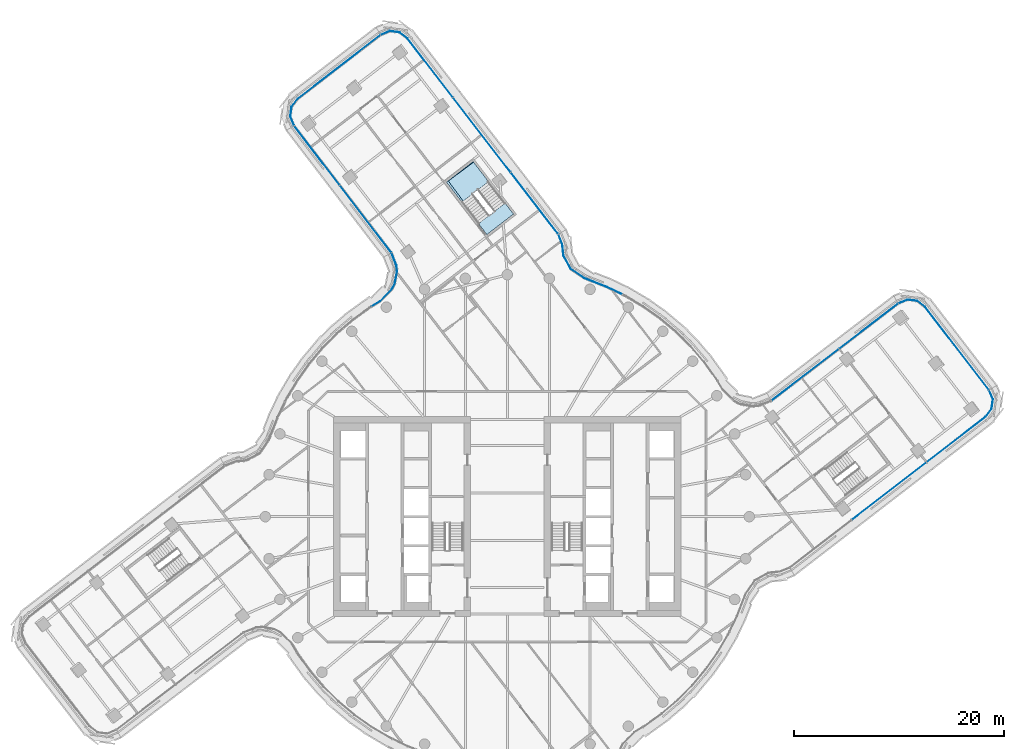
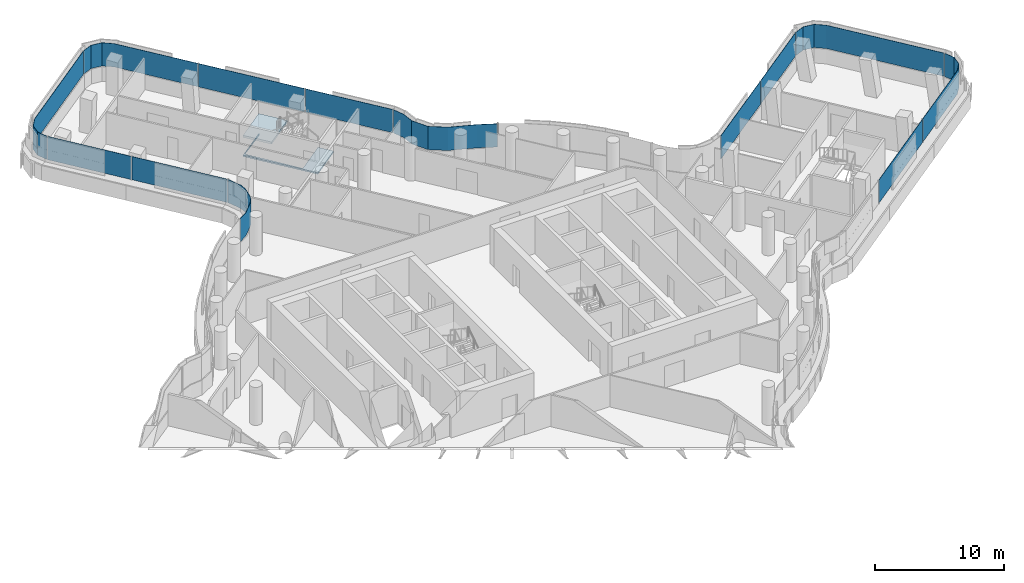
# One storey, part 19 of 33: 13 plates, 2 slabs, 9 elements without a shape of their own.
"""IFC4 building model written with IfcOpenShell, lengths in metres."""

from ifc_helpers import new_model, si_unit, direction, frame, origin, place, context, subcontext, project, spatial, polyline, outline, extrude, material, layer, layer_set, type_object, element, aggregate, save


model = new_model("IFC4")

# Units and contexts
model_context = context("Model", 3, precision=1e-05, world=origin(), true_north=direction((0.0, 1.0)))
body_context = subcontext(model_context, "Body", "Model", "MODEL_VIEW")
ifc_project = project(units=[si_unit("LENGTHUNIT", "METRE"), si_unit("AREAUNIT", "SQUARE_METRE"), si_unit("VOLUMEUNIT", "CUBIC_METRE"), si_unit("PLANEANGLEUNIT", "RADIAN"), si_unit("MASSUNIT", "GRAM", prefix="KILO")], contexts=[model_context])

# Site, building, storey
site_placement = place(None, origin())
site = spatial("IfcSite", under=ifc_project, at=site_placement, CompositionType="ELEMENT")
building_placement = place(site_placement, origin())
building = spatial("IfcBuilding", under=site, at=building_placement, Name="Tamarind Cross Interchange Tower", CompositionType="ELEMENT")
storey_placement = place(building_placement, frame((0.0, 0.0, 170.5)))
storey = spatial("IfcBuildingStorey", under=building, at=storey_placement, Name="L42", CompositionType="ELEMENT", Elevation=170.5)

# Slab
ifc_material_1 = material(Name="Concrete C35", Category="concrete")
ifc_layer_1 = layer(ifc_material_1, 0.139892578125)
ifc_layer_set_1 = layer_set([ifc_layer_1], Name="Concrete C35")
slab_type_1 = type_object("IfcSlabType", Name="Composite slab 140 Concrete C35", PredefinedType="FLOOR", material=ifc_layer_set_1)
slab_1_placement = place(storey_placement, frame((0.0, 0.0, -0.139892578125)))
element("IfcSlab", 1, at=slab_1_placement, inside=storey, type_object=slab_type_1, Name="Floor slab L42", PredefinedType="FLOOR", context=body_context, shape_type="SweptSolid", body=[
    extrude(outline(polyline([(-1.942626953125, 26.815185546875), (0.59228515625, 28.768310546875), (-0.20849609375, 29.8076171875), (-2.652099609375, 27.9248046875), (-5.60791015625, 31.90966796875), (-3.20263671875, 33.69384765625), (-3.252685546875, 33.7587890625), (-5.78759765625, 31.805908203125), (-1.942626953125, 26.815185546875)])), origin(), (0.0, 0.0, 1.0), 0.139892578125),
])

# Stair, slab
ifc_material_2 = material(Name="Exit stair")
stair_type = type_object("IfcStairType", Name="Exit stair", PredefinedType="HALF_TURN_STAIR", material=ifc_material_2)
stair_placement = place(storey_placement, origin())
stair = element("IfcStair", 2, at=stair_placement, inside=storey, type_object=stair_type, Name="L42 exit stair ST4", PredefinedType="HALF_TURN_STAIR")
ifc_material_3 = material(Name="Concrete C40", Category="concrete")
ifc_layer_2 = layer(ifc_material_3, 0.199951171875)
ifc_layer_set_2 = layer_set([ifc_layer_2], Name="Concrete C40")
slab_type_2 = type_object("IfcSlabType", Name="Stair landing", PredefinedType="LANDING", material=ifc_layer_set_2)
slab_2_placement = place(storey_placement, frame((0.0, 0.0, 1.675048828125)))
slab_2 = element("IfcSlab", 3, at=slab_2_placement, type_object=slab_type_2, Name="ST4 landing 1", PredefinedType="LANDING", context=body_context, shape_type="SweptSolid", body=[
    extrude(outline(polyline([(-1.780517578125, 31.84814453125), (-3.252685546875, 33.7587890625), (-5.78759765625, 31.8056640625), (-4.3154296875, 29.89501953125), (-1.780517578125, 31.84814453125)])), origin(), (0.0, 0.0, 1.0), 0.199951171875),
])
aggregate(stair, [slab_2])

# Curtain wall, plate
ifc_material_4 = material(Name="Aluminium 6063-T6", Category="aluminium")
ifc_layer_3 = layer(ifc_material_4, 0.159912109375)
ifc_layer_set_3 = layer_set([ifc_layer_3], Name="Aluminium 6063-T6")
curtain_wall_type = type_object("IfcCurtainWallType", Name="Office curtain wall, 9.0 m bays", PredefinedType="NOTDEFINED", material=ifc_layer_set_3)
curtain_wall_1_placement = place(storey_placement, origin())
curtain_wall_1 = element("IfcCurtainWall", 4, at=curtain_wall_1_placement, inside=storey, type_object=curtain_wall_type, Name="CWS-L42-00", PredefinedType="NOTDEFINED")
ifc_material_5 = material(Name="Laminated low-e glass 8+1.52+8", Category="glass")
ifc_layer_4 = layer(ifc_material_5, 0.028076171875)
ifc_layer_set_4 = layer_set([ifc_layer_4], Name="Laminated low-e glass 8+1.52+8")
plate_type = type_object("IfcPlateType", Name="Vision panel CW1", PredefinedType="CURTAIN_PANEL", material=ifc_layer_set_4)
plate_1_placement = place(storey_placement, frame((0.0, 0.0, 1.39990234375)))
plate_1 = element("IfcPlate", 5, at=plate_1_placement, type_object=plate_type, Name="CWP-L42-00-00", PredefinedType="CURTAIN_PANEL", context=body_context, shape_type="SweptSolid", body=[
    extrude(outline(polyline([(45.7578125, 12.063720703125), (39.706298828125, 19.918212890625), (38.95166015625, 20.4951171875), (38.03857421875, 20.61328125), (37.187744140625, 20.2587890625), (37.177001953125, 20.28466796875), (38.034912109375, 20.64208984375), (38.962646484375, 20.521728515625), (39.726318359375, 19.938232421875), (45.780029296875, 12.080810546875), (45.7578125, 12.063720703125)])), origin(), (0.0, 0.0, 1.0), 2.210205078125),
])
aggregate(curtain_wall_1, [plate_1])

# Curtain wall, plates
curtain_wall_2_placement = place(storey_placement, origin())
curtain_wall_2 = element("IfcCurtainWall", 6, at=curtain_wall_2_placement, inside=storey, type_object=curtain_wall_type, Name="CWS-L42-01", PredefinedType="NOTDEFINED")
plate_2_placement = place(storey_placement, frame((0.0, 0.0, 1.39990234375)))
plate_2 = element("IfcPlate", 7, at=plate_2_placement, type_object=plate_type, Name="CWP-L42-01-00", PredefinedType="CURTAIN_PANEL", context=body_context, shape_type="SweptSolid", body=[
    extrude(outline(polyline([(37.139404296875, 20.23095703125), (31.553466796875, 15.9501953125), (31.536376953125, 15.972412109375), (37.122314453125, 20.253173828125), (37.139404296875, 20.23095703125)])), origin(), (0.0, 0.0, 1.0), 2.210205078125),
])
plate_3_placement = place(storey_placement, frame((0.0, 0.0, 1.39990234375)))
plate_3 = element("IfcPlate", 8, at=plate_3_placement, type_object=plate_type, Name="CWP-L42-01-01", PredefinedType="CURTAIN_PANEL", context=body_context, shape_type="SweptSolid", body=[
    extrude(outline(polyline([(31.505615234375, 15.91357421875), (25.12255859375, 11.021728515625), (25.10546875, 11.0439453125), (31.48876953125, 15.935791015625), (31.505615234375, 15.91357421875)])), origin(), (0.0, 0.0, 1.0), 2.210205078125),
])
aggregate(curtain_wall_2, [plate_2, plate_3])

# Curtain wall, plate
curtain_wall_3_placement = place(storey_placement, origin())
curtain_wall_3 = element("IfcCurtainWall", 9, at=curtain_wall_3_placement, inside=storey, type_object=curtain_wall_type, Name="CWS-L42-02", PredefinedType="NOTDEFINED")
plate_4_placement = place(storey_placement, frame((0.0, 0.0, 1.39990234375)))
plate_4 = element("IfcPlate", 10, at=plate_4_placement, type_object=plate_type, Name="CWP-L42-02-02", PredefinedType="CURTAIN_PANEL", context=body_context, shape_type="SweptSolid", body=[
    extrude(outline(polyline([(10.890869140625, 21.12744140625), (9.458984375, 21.81982421875), (7.328857421875, 22.645751953125), (6.029296875, 23.52734375), (5.326416015625, 24.81884765625), (5.211669921875, 25.89697265625), (4.839599609375, 26.82470703125), (4.86572265625, 26.835205078125), (5.239013671875, 25.90380859375), (5.353759765625, 24.827392578125), (6.05078125, 23.546630859375), (7.342041015625, 22.670654296875), (9.47021484375, 21.845458984375), (10.903076171875, 21.152587890625), (10.890869140625, 21.12744140625)])), origin(), (0.0, 0.0, 1.0), 2.210205078125),
])
aggregate(curtain_wall_3, [plate_4])

# Curtain wall, plates
curtain_wall_4_placement = place(storey_placement, origin())
curtain_wall_4 = element("IfcCurtainWall", 11, at=curtain_wall_4_placement, inside=storey, type_object=curtain_wall_type, Name="CWS-L42-03", PredefinedType="NOTDEFINED")
plate_5_placement = place(storey_placement, frame((0.0, 0.0, 1.39990234375)))
plate_5 = element("IfcPlate", 12, at=plate_5_placement, type_object=plate_type, Name="CWP-L42-03-00", PredefinedType="CURTAIN_PANEL", context=body_context, shape_type="SweptSolid", body=[
    extrude(outline(polyline([(4.81201171875, 26.873046875), (0.32177734375, 32.701171875), (0.343994140625, 32.71826171875), (4.834228515625, 26.89013671875), (4.81201171875, 26.873046875)])), origin(), (0.0, 0.0, 1.0), 2.210205078125),
])
plate_6_placement = place(storey_placement, frame((0.0, 0.0, 1.39990234375)))
plate_6 = element("IfcPlate", 13, at=plate_6_placement, type_object=plate_type, Name="CWP-L42-03-01", PredefinedType="CURTAIN_PANEL", context=body_context, shape_type="SweptSolid", body=[
    extrude(outline(polyline([(0.28515625, 32.748779296875), (-5.158447265625, 39.814208984375), (-5.136474609375, 39.831298828125), (0.307373046875, 32.765869140625), (0.28515625, 32.748779296875)])), origin(), (0.0, 0.0, 1.0), 2.210205078125),
])
plate_7_placement = place(storey_placement, frame((0.0, 0.0, 1.39990234375)))
plate_7 = element("IfcPlate", 14, at=plate_7_placement, type_object=plate_type, Name="CWP-L42-03-02", PredefinedType="CURTAIN_PANEL", context=body_context, shape_type="SweptSolid", body=[
    extrude(outline(polyline([(-5.195068359375, 39.861572265625), (-9.4970703125, 45.4453125), (-10.251708984375, 46.02197265625), (-11.16455078125, 46.140380859375), (-12.015380859375, 45.785888671875), (-12.026123046875, 45.811767578125), (-11.16845703125, 46.1689453125), (-10.24072265625, 46.048828125), (-9.47705078125, 45.46533203125), (-5.173095703125, 39.878662109375), (-5.195068359375, 39.861572265625)])), origin(), (0.0, 0.0, 1.0), 2.210205078125),
])
aggregate(curtain_wall_4, [plate_5, plate_6, plate_7])

# Curtain wall, plate
curtain_wall_5_placement = place(storey_placement, origin())
curtain_wall_5 = element("IfcCurtainWall", 15, at=curtain_wall_5_placement, inside=storey, type_object=curtain_wall_type, Name="CWS-L42-04", PredefinedType="NOTDEFINED")
plate_8_placement = place(storey_placement, frame((0.0, 0.0, 1.39990234375)))
plate_8 = element("IfcPlate", 16, at=plate_8_placement, type_object=plate_type, Name="CWP-L42-04-00", PredefinedType="CURTAIN_PANEL", context=body_context, shape_type="SweptSolid", body=[
    extrude(outline(polyline([(-12.063720703125, 45.7578125), (-19.918212890625, 39.706298828125), (-20.4951171875, 38.95166015625), (-20.61328125, 38.03857421875), (-20.2587890625, 37.187744140625), (-20.28466796875, 37.177001953125), (-20.64208984375, 38.034912109375), (-20.521728515625, 38.962646484375), (-19.938232421875, 39.726318359375), (-12.080810546875, 45.780029296875), (-12.063720703125, 45.7578125)])), origin(), (0.0, 0.0, 1.0), 2.210205078125),
])
aggregate(curtain_wall_5, [plate_8])

# Curtain wall, plates
curtain_wall_6_placement = place(storey_placement, origin())
curtain_wall_6 = element("IfcCurtainWall", 17, at=curtain_wall_6_placement, inside=storey, type_object=curtain_wall_type, Name="CWS-L42-05", PredefinedType="NOTDEFINED")
plate_9_placement = place(storey_placement, frame((0.0, 0.0, 1.39990234375)))
plate_9 = element("IfcPlate", 18, at=plate_9_placement, type_object=plate_type, Name="CWP-L42-05-00", PredefinedType="CURTAIN_PANEL", context=body_context, shape_type="SweptSolid", body=[
    extrude(outline(polyline([(-20.23095703125, 37.139404296875), (-15.9501953125, 31.553466796875), (-15.972412109375, 31.536376953125), (-20.253173828125, 37.122314453125), (-20.23095703125, 37.139404296875)])), origin(), (0.0, 0.0, 1.0), 2.210205078125),
])
plate_10_placement = place(storey_placement, frame((0.0, 0.0, 1.39990234375)))
plate_10 = element("IfcPlate", 19, at=plate_10_placement, type_object=plate_type, Name="CWP-L42-05-01", PredefinedType="CURTAIN_PANEL", context=body_context, shape_type="SweptSolid", body=[
    extrude(outline(polyline([(-15.91357421875, 31.505615234375), (-11.021728515625, 25.12255859375), (-11.0439453125, 25.10546875), (-15.935791015625, 31.48876953125), (-15.91357421875, 31.505615234375)])), origin(), (0.0, 0.0, 1.0), 2.210205078125),
])
aggregate(curtain_wall_6, [plate_9, plate_10])

# Curtain wall, plate
curtain_wall_7_placement = place(storey_placement, origin())
curtain_wall_7 = element("IfcCurtainWall", 20, at=curtain_wall_7_placement, inside=storey, type_object=curtain_wall_type, Name="CWS-L42-06", PredefinedType="NOTDEFINED")
plate_11_placement = place(storey_placement, frame((0.0, 0.0, 1.39990234375)))
plate_11 = element("IfcPlate", 21, at=plate_11_placement, type_object=plate_type, Name="CWP-L42-06-00", PredefinedType="CURTAIN_PANEL", context=body_context, shape_type="SweptSolid", body=[
    extrude(outline(polyline([(-10.99072265625, 25.0673828125), (-10.525146484375, 23.88427734375), (-10.46875, 23.281494140625), (-10.6865234375, 22.140869140625), (-10.9619140625, 21.5986328125), (-12.0703125, 20.47265625), (-12.862060546875, 19.9931640625), (-12.87646484375, 20.01708984375), (-12.087890625, 20.49462890625), (-10.98486328125, 21.614990234375), (-10.713134765625, 22.14990234375), (-10.4970703125, 23.28271484375), (-10.552734375, 23.877685546875), (-11.0166015625, 25.05712890625), (-10.99072265625, 25.0673828125)])), origin(), (0.0, 0.0, 1.0), 2.210205078125),
])
aggregate(curtain_wall_7, [plate_11])

# Curtain wall, plates
curtain_wall_8_placement = place(storey_placement, origin())
curtain_wall_8 = element("IfcCurtainWall", 22, at=curtain_wall_8_placement, inside=storey, type_object=curtain_wall_type, Name="CWS-L42-15", PredefinedType="NOTDEFINED")
plate_12_placement = place(storey_placement, frame((0.0, 0.0, 1.39990234375)))
plate_12 = element("IfcPlate", 23, at=plate_12_placement, type_object=plate_type, Name="CWP-L42-15-01", PredefinedType="CURTAIN_PANEL", context=body_context, shape_type="SweptSolid", body=[
    extrude(outline(polyline([(32.748779296875, -0.28515625), (39.814208984375, 5.158447265625), (39.831298828125, 5.136474609375), (32.765869140625, -0.307373046875), (32.748779296875, -0.28515625)])), origin(), (0.0, 0.0, 1.0), 2.210205078125),
])
plate_13_placement = place(storey_placement, frame((0.0, 0.0, 1.39990234375)))
plate_13 = element("IfcPlate", 24, at=plate_13_placement, type_object=plate_type, Name="CWP-L42-15-02", PredefinedType="CURTAIN_PANEL", context=body_context, shape_type="SweptSolid", body=[
    extrude(outline(polyline([(39.861572265625, 5.195068359375), (45.4453125, 9.4970703125), (46.02197265625, 10.251708984375), (46.140380859375, 11.16455078125), (45.785888671875, 12.015380859375), (45.811767578125, 12.026123046875), (46.1689453125, 11.16845703125), (46.048828125, 10.24072265625), (45.46533203125, 9.47705078125), (39.878662109375, 5.173095703125), (39.861572265625, 5.195068359375)])), origin(), (0.0, 0.0, 1.0), 2.210205078125),
])
aggregate(curtain_wall_8, [plate_12, plate_13])

save(model, "model.ifc")
